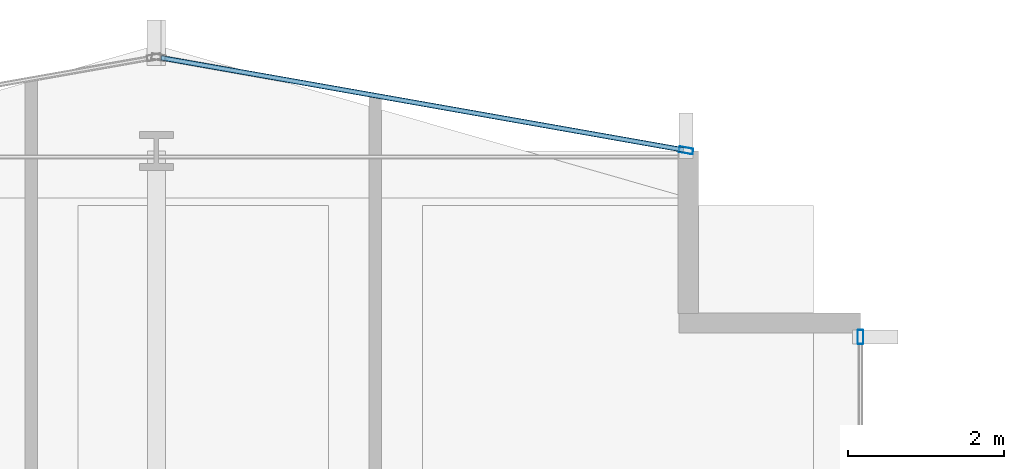
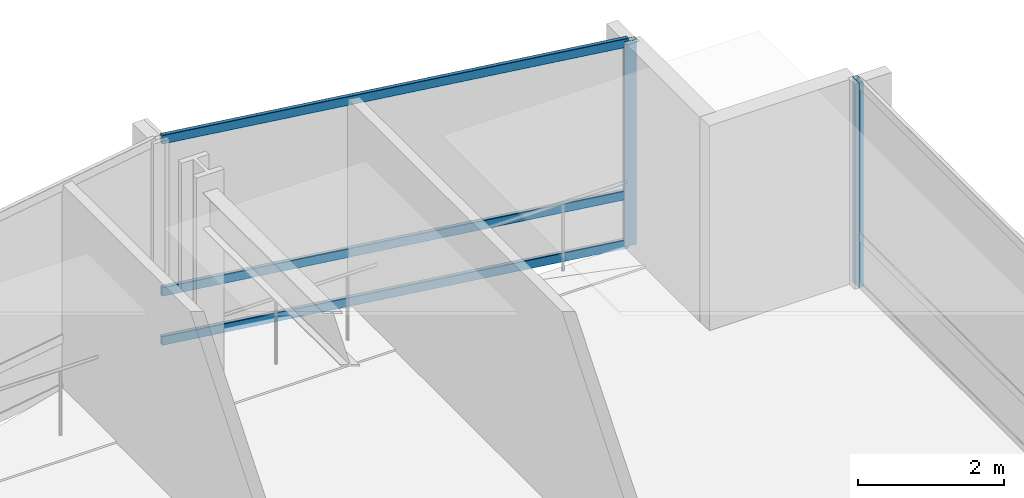
# One storey, part 24 of 34: 5 members, 2 elements without a shape of their own.
"""IFC4 building model written with IfcOpenShell, lengths in metres."""

from ifc_helpers import new_model, si_unit, direction, frame, origin, origin_2d, place, context, subcontext, project, spatial, hollow_rectangle, extrude, material, layer, layer_set, material_profile, profile_set, type_object, element, aggregate, save


model = new_model("IFC4")

# Units and contexts
model_context = context("Model", 3, precision=1e-05, world=origin(), true_north=direction((0.0, 1.0)))
body_context = subcontext(model_context, "Body", "Model", "MODEL_VIEW")
ifc_project = project(units=[si_unit("LENGTHUNIT", "METRE"), si_unit("AREAUNIT", "SQUARE_METRE"), si_unit("VOLUMEUNIT", "CUBIC_METRE"), si_unit("PLANEANGLEUNIT", "RADIAN"), si_unit("MASSUNIT", "GRAM", prefix="KILO")], contexts=[model_context])

# Site, building, storey
site_placement = place(None, origin())
site = spatial("IfcSite", under=ifc_project, at=site_placement, CompositionType="ELEMENT")
building_placement = place(site_placement, origin())
building = spatial("IfcBuilding", under=site, at=building_placement, Name="Solvaryn Broadcast Tower", CompositionType="ELEMENT")
storey_placement = place(building_placement, frame((0.0, 0.0, 50.800048828125)))
storey = spatial("IfcBuildingStorey", under=building, at=storey_placement, Name="L11", CompositionType="ELEMENT", Elevation=50.800048828125)

# Curtain wall, member
ifc_material_1 = material(Name="Aluminium and Terracotta Unitised Curtain Wall", Category="masonry")
ifc_layer = layer(ifc_material_1, 0.199951171875)
ifc_layer_set = layer_set([ifc_layer], Name="CW-SYS2-LOWMID")
curtain_wall_type = type_object("IfcCurtainWallType", Name="CW-SYS2-LOWMID", PredefinedType="NOTDEFINED", material=ifc_layer_set)
curtain_wall_1_placement = place(storey_placement, origin())
curtain_wall_1 = element("IfcCurtainWall", 1, at=curtain_wall_1_placement, inside=storey, type_object=curtain_wall_type, Name="L11 Curtain Wall IV", PredefinedType="NOTDEFINED")
ifc_material_2 = material(Name="Anodised Aluminium 6063-T6", Category="aluminium")
ifc_material_profile_1 = material_profile(ifc_material_2, hollow_rectangle(XDim=0.074951171875, YDim=0.179931640625, WallThickness=0.00390625, InnerFilletRadius=0.00390625, OuterFilletRadius=0.008056640625, at=origin_2d()))
ifc_profile_set_1 = profile_set([ifc_material_profile_1], Name="Anodised Aluminium 6063-T6")
member_type_1 = type_object("IfcMemberType", Name="CW-MUL-180", PredefinedType="MULLION", material=ifc_profile_set_1)
member_1_placement = place(storey_placement, frame((27.0, 51.6201171875, 0.0), z_axis=(0.0, 0.0, 1.0), x_axis=(1.0, 0.0, 0.0)))
member_1 = element("IfcMember", 2, at=member_1_placement, type_object=member_type_1, Name="CWS2 mullion 1", PredefinedType="MULLION", context=body_context, shape_type="SweptSolid", body=[
    extrude(hollow_rectangle(XDim=0.074951171875, YDim=0.179931640625, WallThickness=0.00390625, InnerFilletRadius=0.00390625, OuterFilletRadius=0.008056640625, at=origin_2d()), origin(), (0.0, 0.0, 1.0), 3.419921875),
])
aggregate(curtain_wall_1, [member_1])

# Curtain wall, members
curtain_wall_2_placement = place(storey_placement, origin())
curtain_wall_2 = element("IfcCurtainWall", 3, at=curtain_wall_2_placement, inside=storey, type_object=curtain_wall_type, Name="L11 Curtain Wall NT1", PredefinedType="NOTDEFINED")
member_2_placement = place(storey_placement, frame((24.7705078125, 54.005126953125, 0.0), z_axis=(0.0, 0.0, 1.0), x_axis=(-0.173785333901, -0.984783558819, 0.0)))
member_2 = element("IfcMember", 4, at=member_2_placement, type_object=member_type_1, Name="CWS2 mullion 1", PredefinedType="MULLION", context=body_context, shape_type="SweptSolid", body=[
    extrude(hollow_rectangle(XDim=0.074951171875, YDim=0.179931640625, WallThickness=0.00390625, InnerFilletRadius=0.00390625, OuterFilletRadius=0.008056640625, at=origin_2d()), origin(), (0.0, 0.0, 1.0), 3.419921875),
])
ifc_material_3 = material(Name="Anodised Aluminium 6063-T6", Category="aluminium")
ifc_material_profile_2 = material_profile(ifc_material_3, hollow_rectangle(XDim=0.06494140625, YDim=0.14990234375, WallThickness=0.00390625, InnerFilletRadius=0.00390625, OuterFilletRadius=0.008056640625, at=origin_2d()))
ifc_profile_set_2 = profile_set([ifc_material_profile_2], Name="Anodised Aluminium 6063-T6")
member_type_2 = type_object("IfcMemberType", Name="CW-TRN-150", PredefinedType="USERDEFINED", material=ifc_profile_set_2)
member_3_placement = place(storey_placement, frame((24.740966796875, 54.010498046875, 0.030029296875), z_axis=(-0.984788629673, 0.173756596613, 0.0), x_axis=(-0.173756596613, -0.984788629673, 0.0)))
member_3 = element("IfcMember", 5, at=member_3_placement, type_object=member_type_2, Name="CWS2 transom 1.1", ObjectType="TRANSOM", PredefinedType="USERDEFINED", context=body_context, shape_type="SweptSolid", body=[
    extrude(hollow_rectangle(XDim=0.06494140625, YDim=0.14990234375, WallThickness=0.00390625, InnerFilletRadius=0.00390625, OuterFilletRadius=0.008056640625, at=origin_2d()), origin(), (0.0, 0.0, 1.0), 6.78515625),
])
member_4_placement = place(storey_placement, frame((24.740966796875, 54.010498046875, 0.849853515625), z_axis=(-0.984788629673, 0.173756596613, 0.0), x_axis=(-0.173756596613, -0.984788629673, 0.0)))
member_4 = element("IfcMember", 6, at=member_4_placement, type_object=member_type_2, Name="CWS2 transom 1.2", ObjectType="TRANSOM", PredefinedType="USERDEFINED", context=body_context, shape_type="SweptSolid", body=[
    extrude(hollow_rectangle(XDim=0.06494140625, YDim=0.14990234375, WallThickness=0.00390625, InnerFilletRadius=0.00390625, OuterFilletRadius=0.008056640625, at=origin_2d()), origin(), (0.0, 0.0, 1.0), 6.78515625),
])
member_5_placement = place(storey_placement, frame((24.740966796875, 54.010498046875, 3.389892578125), z_axis=(-0.984788629673, 0.173756596613, 0.0), x_axis=(-0.173756596613, -0.984788629673, 0.0)))
member_5 = element("IfcMember", 7, at=member_5_placement, type_object=member_type_2, Name="CWS2 transom 1.3", ObjectType="TRANSOM", PredefinedType="USERDEFINED", context=body_context, shape_type="SweptSolid", body=[
    extrude(hollow_rectangle(XDim=0.06494140625, YDim=0.14990234375, WallThickness=0.00390625, InnerFilletRadius=0.00390625, OuterFilletRadius=0.008056640625, at=origin_2d()), origin(), (0.0, 0.0, 1.0), 6.78515625),
])
aggregate(curtain_wall_2, [member_2, member_3, member_4, member_5])

save(model, "model.ifc")
